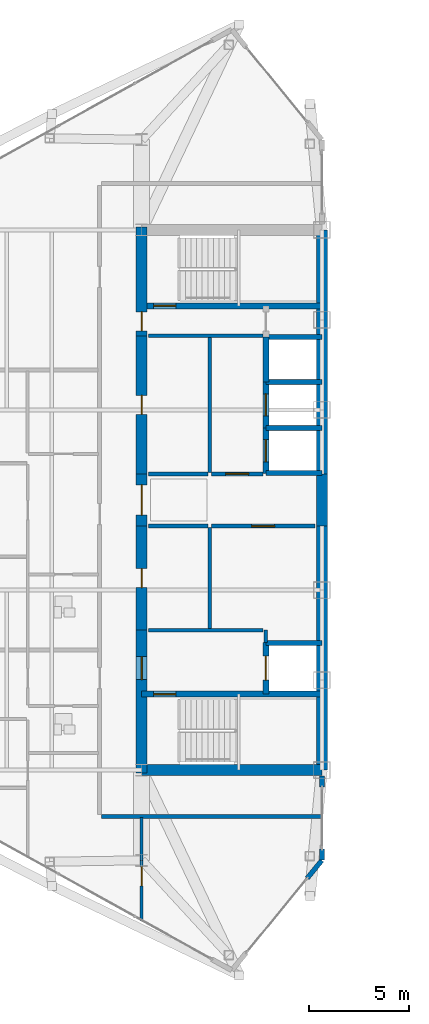
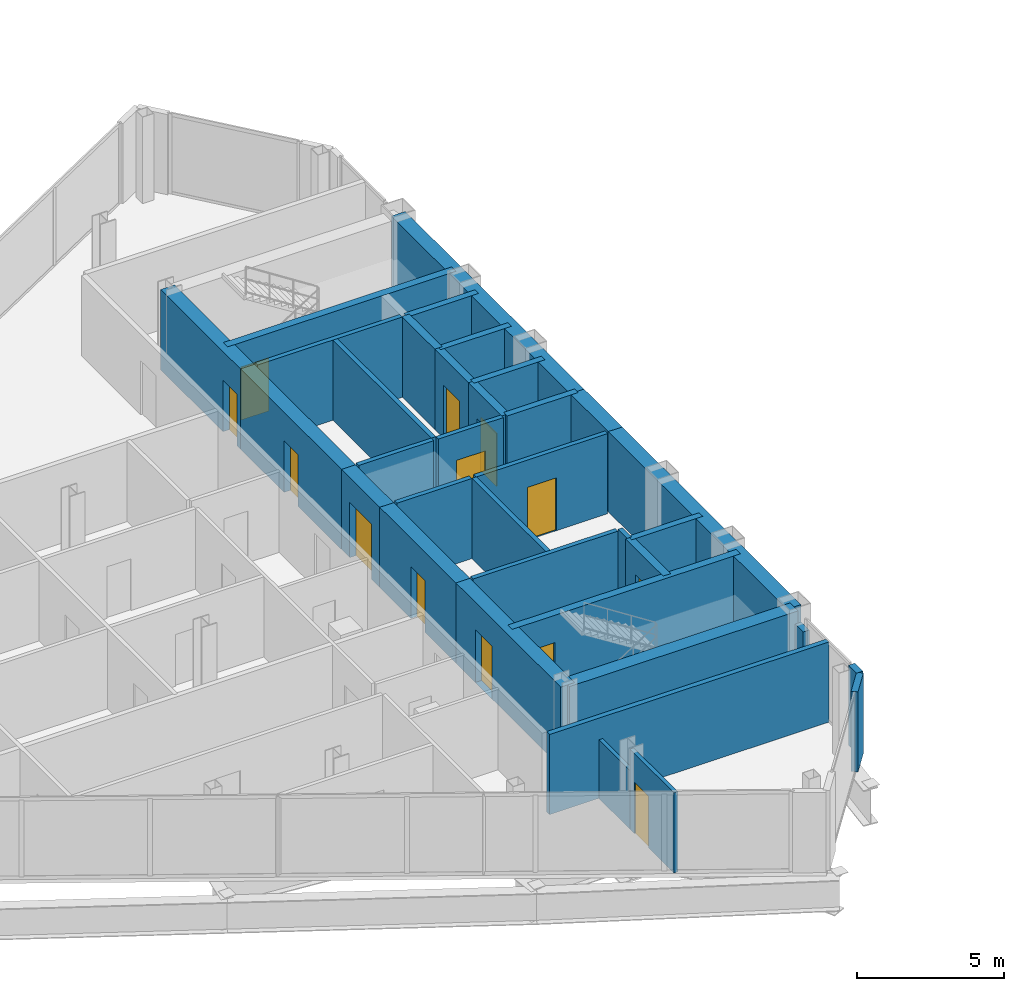
# One storey, part 21 of 28: 35 walls, 13 doors, 13 openings.
"""IFC4 building model written with IfcOpenShell, lengths in metres."""

from ifc_helpers import new_model, si_unit, direction, frame, frame_2d, origin, place, context, subcontext, project, spatial, rectangle, extrude, source, transform, mapped, material, layer, layer_set, type_object, type_shapes, element, fill, save


model = new_model("IFC4")

# Units and contexts
model_context = context("Model", 3, precision=1e-05, world=origin(), true_north=direction((0.0, 1.0)))
body_context = subcontext(model_context, "Body", "Model", "MODEL_VIEW")
ifc_project = project(units=[si_unit("LENGTHUNIT", "METRE"), si_unit("AREAUNIT", "SQUARE_METRE"), si_unit("VOLUMEUNIT", "CUBIC_METRE"), si_unit("PLANEANGLEUNIT", "RADIAN"), si_unit("MASSUNIT", "GRAM", prefix="KILO")], contexts=[model_context])

# Site, building, storey
site_placement = place(None, origin())
site = spatial("IfcSite", under=ifc_project, at=site_placement, CompositionType="ELEMENT")
building_placement = place(site_placement, origin())
building = spatial("IfcBuilding", under=site, at=building_placement, Name="Seokmaru Belvedere", CompositionType="ELEMENT")
storey_placement = place(building_placement, frame((0.0, 0.0, 158.39990234375)))
storey = spatial("IfcBuildingStorey", under=building, at=storey_placement, Name="L42", CompositionType="ELEMENT", Elevation=158.39990234375)

# Wall, opening, door
ifc_material_1 = material(Name="Fire-Rated Gypsum Shaftwall")
ifc_layer_1 = layer(ifc_material_1, 0.14990234375)
ifc_layer_set_1 = layer_set([ifc_layer_1], Name="Fire-Rated Gypsum Shaftwall")
wall_type_1 = type_object("IfcWallType", Name="Apartment Fire-Acoustic Room Partition 150", PredefinedType="PARTITIONING", material=ifc_layer_set_1)
wall_1_placement = place(storey_placement, frame((-36.5, -21.031982421875, 0.0), z_axis=(0.0, 0.0, 1.0), x_axis=(0.0, 1.0, 0.0)))
wall_1 = element("IfcWall", 1, at=wall_1_placement, inside=storey, type_object=wall_type_1, Name="L42 Interior Partition 028", PredefinedType="PARTITIONING", context=body_context, shape_type="SweptSolid", body=[
    extrude(rectangle(XDim=3.011962890625, YDim=0.14990234375, at=frame_2d((1.505859375, 0.0))), origin(), (0.0, 0.0, 1.0), 3.340087890625),
])
opening_1_placement = place(wall_1_placement, frame((1.75390625, 0.0, 0.0)))
opening_1 = element("IfcOpeningElement", 2, at=opening_1_placement, cuts=wall_1, Name="Opening D05", PredefinedType="OPENING", context=body_context, shape_type="SweptSolid", body=[
    extrude(rectangle(XDim=0.949951171875, YDim=2.14990234375, at=frame_2d((0.47509765625, 1.074951171875))), frame((0.0, 0.0849609375, 0.0), z_axis=(0.0, -1.0, 0.0), x_axis=(1.0, 0.0, 0.0)), (0.0, 0.0, 1.0), 0.169921875),
])
ifc_material_2 = material(Name="Engineered White Oak Timber", Category="wood")
door_type_1 = type_object("IfcDoorType", Name="Apartment Interior Fire-Rated Oak Door 950x2150", OperationType="NOTDEFINED", PredefinedType="DOOR", material=ifc_material_2)
shared_shape_1 = source(origin(), body_context, "Body", "SweptSolid", [
    extrude(rectangle(XDim=0.949951171875, YDim=2.14990234375, at=frame_2d((0.47509765625, 1.074951171875))), frame((0.0, 0.02490234375, 0.0), z_axis=(0.0, -1.0, 0.0), x_axis=(1.0, 0.0, 0.0)), (0.0, 0.0, 1.0), 0.050048828125),
])
type_shapes(door_type_1, [shared_shape_1])
door_1_placement = place(opening_1_placement, origin())
door_1 = element("IfcDoor", 3, at=door_1_placement, inside=storey, type_object=door_type_1, Name="L42 Interior Door 008", OperationType="SINGLE_SWING_RIGHT", OverallHeight=2.14990234375, OverallWidth=0.949951171875, PredefinedType="DOOR", context=body_context, shape_type="MappedRepresentation", body=[
    mapped(shared_shape_1, transform((0.0, 0.0, 0.0), scale=1.0)),
])
fill(opening_1, door_1)

# Walls
wall_2_placement = place(storey_placement, frame((-36.5, -18.02001953125, 0.0), z_axis=(0.0, 0.0, 1.0), x_axis=(0.0, 1.0, 0.0)))
element("IfcWall", 4, at=wall_2_placement, inside=storey, type_object=wall_type_1, Name="L42 Interior Partition 028 Part 2", PredefinedType="PARTITIONING", context=body_context, shape_type="SweptSolid", body=[
    extrude(rectangle(XDim=2.169921875, YDim=0.14990234375, at=frame_2d((1.0849609375, 0.0))), origin(), (0.0, 0.0, 1.0), 2.440185546875),
])
ifc_layer_2 = layer(ifc_material_1, 0.179931640625)
ifc_layer_set_2 = layer_set([ifc_layer_2], Name="Fire-Rated Gypsum Shaftwall")
wall_type_2 = type_object("IfcWallType", Name="Core Service Fire Partition 180", PredefinedType="PARTITIONING", material=ifc_layer_set_2)
wall_3_placement = place(storey_placement, frame((-36.14990234375, -6.5, 0.0), z_axis=(0.0, 0.0, 1.0), x_axis=(1.0, 0.0, 0.0)))
element("IfcWall", 5, at=wall_3_placement, inside=storey, type_object=wall_type_2, Name="L42 West Firefighting Lobby Partition", PredefinedType="PARTITIONING", context=body_context, shape_type="SweptSolid", body=[
    extrude(rectangle(XDim=5.699951171875, YDim=0.179931640625, at=frame_2d((2.85009765625, 0.0))), origin(), (0.0, 0.0, 1.0), 3.340087890625),
])
wall_4_placement = place(storey_placement, frame((-30.300048828125, -7.1201171875, 0.0), z_axis=(0.0, 0.0, 1.0), x_axis=(0.0, 1.0, 0.0)))
element("IfcWall", 6, at=wall_4_placement, inside=storey, type_object=wall_type_2, Name="L42 West Firefighting Lobby East Closure Wall", PredefinedType="PARTITIONING", context=body_context, shape_type="SweptSolid", body=[
    extrude(rectangle(XDim=0.6201171875, YDim=0.179931640625, at=frame_2d((0.31005859375, 0.0))), origin(), (0.0, 0.0, 1.0), 3.340087890625),
])
wall_5_placement = place(storey_placement, frame((-36.14990234375, 8.199951171875, 0.0), z_axis=(0.0, 0.0, 1.0), x_axis=(1.0, 0.0, 0.0)))
element("IfcWall", 7, at=wall_5_placement, inside=storey, type_object=wall_type_2, Name="L42 West Smokeproof Vestibule Partition", PredefinedType="PARTITIONING", context=body_context, shape_type="SweptSolid", body=[
    extrude(rectangle(XDim=5.699951171875, YDim=0.179931640625, at=frame_2d((2.85009765625, 0.0))), origin(), (0.0, 0.0, 1.0), 3.340087890625),
])
wall_6_placement = place(storey_placement, frame((-33.10009765625, -6.419921875, 0.0), z_axis=(0.0, 0.0, 1.0), x_axis=(0.0, 1.0, 0.0)))
element("IfcWall", 8, at=wall_6_placement, inside=storey, type_object=wall_type_2, Name="L42 West South Core Service Back Wall", PredefinedType="PARTITIONING", context=body_context, shape_type="SweptSolid", body=[
    extrude(rectangle(XDim=5.0400390625, YDim=0.179931640625, at=frame_2d((2.52001953125, 0.0))), origin(), (0.0, 0.0, 1.0), 3.340087890625),
])
wall_7_placement = place(storey_placement, frame((-33.10009765625, 1.3798828125, 0.0), z_axis=(0.0, 0.0, 1.0), x_axis=(0.0, 1.0, 0.0)))
element("IfcWall", 9, at=wall_7_placement, inside=storey, type_object=wall_type_2, Name="L42 West North Core Service Back Wall", PredefinedType="PARTITIONING", context=body_context, shape_type="SweptSolid", body=[
    extrude(rectangle(XDim=6.740234375, YDim=0.179931640625, at=frame_2d((3.3701171875, 0.0))), origin(), (0.0, 0.0, 1.0), 3.340087890625),
])

# Wall, opening, door
wall_8_placement = place(storey_placement, frame((-33.02001953125, -1.300048828125, 0.0), z_axis=(0.0, 0.0, 1.0), x_axis=(1.0, 0.0, 0.0)))
wall_8 = element("IfcWall", 10, at=wall_8_placement, inside=storey, type_object=wall_type_2, Name="L42 West South Lift Lobby Foyer Wall", PredefinedType="PARTITIONING", context=body_context, shape_type="SweptSolid", body=[
    extrude(rectangle(XDim=5.169921875, YDim=0.179931640625, at=frame_2d((2.5849609375, 0.0))), origin(), (0.0, 0.0, 1.0), 3.340087890625),
])
opening_2_placement = place(wall_8_placement, frame((2.010009765625, 0.0, 0.0)))
opening_2 = element("IfcOpeningElement", 11, at=opening_2_placement, cuts=wall_8, Name="Opening D02", PredefinedType="OPENING", context=body_context, shape_type="SweptSolid", body=[
    extrude(rectangle(XDim=1.14990234375, YDim=2.199951171875, at=frame_2d((0.574951171875, 1.10009765625))), frame((0.0, 0.10009765625, 0.0), z_axis=(0.0, -1.0, 0.0), x_axis=(1.0, 0.0, 0.0)), (0.0, 0.0, 1.0), 0.199951171875),
])
ifc_material_3 = material(Name="Fire-Rated Steel Leaf", Category="steel")
door_type_2 = type_object("IfcDoorType", Name="Lobby and Vestibule Fire Door 1150x2200", OperationType="NOTDEFINED", PredefinedType="DOOR", material=ifc_material_3)
shared_shape_2 = source(origin(), body_context, "Body", "SweptSolid", [
    extrude(rectangle(XDim=1.14990234375, YDim=2.199951171875, at=frame_2d((0.574951171875, 1.10009765625))), frame((0.0, 0.02490234375, 0.0), z_axis=(0.0, -1.0, 0.0), x_axis=(1.0, 0.0, 0.0)), (0.0, 0.0, 1.0), 0.050048828125),
])
type_shapes(door_type_2, [shared_shape_2])
door_2_placement = place(opening_2_placement, origin())
door_2 = element("IfcDoor", 12, at=door_2_placement, inside=storey, type_object=door_type_2, Name="L42 West South Core Foyer Door", OperationType="SINGLE_SWING_LEFT", OverallHeight=2.199951171875, OverallWidth=1.14990234375, PredefinedType="DOOR", context=body_context, shape_type="MappedRepresentation", body=[
    mapped(shared_shape_2, transform((0.0, 0.0, 0.0), scale=1.0)),
])
fill(opening_2, door_2)

wall_9_placement = place(storey_placement, frame((-33.02001953125, 1.300048828125, 0.0), z_axis=(0.0, 0.0, 1.0), x_axis=(1.0, 0.0, 0.0)))
wall_9 = element("IfcWall", 13, at=wall_9_placement, inside=storey, type_object=wall_type_2, Name="L42 West North Lift Lobby Foyer Wall", PredefinedType="PARTITIONING", context=body_context, shape_type="SweptSolid", body=[
    extrude(rectangle(XDim=2.570068359375, YDim=0.179931640625, at=frame_2d((1.28515625, 0.0))), origin(), (0.0, 0.0, 1.0), 3.340087890625),
])
opening_3_placement = place(wall_9_placement, frame((0.7099609375, 0.0, 0.0)))
opening_3 = element("IfcOpeningElement", 14, at=opening_3_placement, cuts=wall_9, Name="Opening D02", PredefinedType="OPENING", context=body_context, shape_type="SweptSolid", body=[
    extrude(rectangle(XDim=1.14990234375, YDim=2.199951171875, at=frame_2d((0.574951171875, 1.10009765625))), frame((0.0, 0.10009765625, 0.0), z_axis=(0.0, -1.0, 0.0), x_axis=(1.0, 0.0, 0.0)), (0.0, 0.0, 1.0), 0.199951171875),
])
door_3_placement = place(opening_3_placement, origin())
door_3 = element("IfcDoor", 15, at=door_3_placement, inside=storey, type_object=door_type_2, Name="L42 West North Lift Lobby Door", OperationType="SINGLE_SWING_RIGHT", OverallHeight=2.199951171875, OverallWidth=1.14990234375, PredefinedType="DOOR", context=body_context, shape_type="MappedRepresentation", body=[
    mapped(shared_shape_2, transform((0.0, 0.0, 0.0), scale=1.0)),
])
fill(opening_3, door_3)

# Walls
for number, where, z_axis, x_axis, name in (
    (16, (-36.14990234375, -1.300048828125, 0.0), (0.0, 0.0, 1.0), (1.0, 0.0, 0.0), "L42 West Foyer Side Wall S"),
    (17, (-36.14990234375, 1.300048828125, 0.0), (0.0, 0.0, 1.0), (1.0, 0.0, 0.0), "L42 West Foyer Side Wall N"),
):
    element("IfcWall", number, at=place(storey_placement, frame(where, z_axis=z_axis, x_axis=x_axis)), inside=storey, type_object=wall_type_2, Name=name, PredefinedType="PARTITIONING", context=body_context, shape_type="SweptSolid", body=[
        extrude(rectangle(XDim=2.949951171875, YDim=0.179931640625, at=frame_2d((1.47509765625, 0.0))), origin(), (0.0, 0.0, 1.0), 3.340087890625),
    ])
ifc_material_4 = material(Name="Concrete C50 (50 MPa)", Category="concrete")
ifc_layer_3 = layer(ifc_material_4, 0.25)
ifc_layer_set_3 = layer_set([ifc_layer_3], Name="Concrete C50 (50 MPa)")
wall_type_3 = type_object("IfcWallType", Name="Hoistway Transverse Concrete Divider Wall 250", PredefinedType="SHEAR", material=ifc_layer_set_3)
for number, where, z_axis, x_axis, name in (
    (18, (-30.300048828125, -7.14990234375, 0.0), (0.0, 0.0, 1.0), (1.0, 0.0, 0.0), "L42 West Hoistway Divider Core Wall 1"),
    (19, (-30.300048828125, 1.35009765625, 0.0), (0.0, 0.0, 1.0), (1.0, 0.0, 0.0), "L42 West Hoistway Divider Core Wall 2"),
    (20, (-30.300048828125, 3.60009765625, 0.0), (0.0, 0.0, 1.0), (1.0, 0.0, 0.0), "L42 West Hoistway Divider Core Wall 3"),
    (21, (-30.300048828125, 5.89990234375, 0.0), (0.0, 0.0, 1.0), (1.0, 0.0, 0.0), "L42 West Hoistway Divider Core Wall 4"),
    (22, (-30.300048828125, 8.14990234375, 0.0), (0.0, 0.0, 1.0), (1.0, 0.0, 0.0), "L42 West Hoistway Divider Core Wall 5"),
):
    element("IfcWall", number, at=place(storey_placement, frame(where, z_axis=z_axis, x_axis=x_axis)), inside=storey, type_object=wall_type_3, Name=name, PredefinedType="SHEAR", context=body_context, shape_type="SweptSolid", body=[
        extrude(rectangle(XDim=2.800048828125, YDim=0.25, at=frame_2d((1.39990234375, 0.0))), origin(), (0.0, 0.0, 1.0), 3.340087890625),
    ])
ifc_layer_4 = layer(ifc_material_1, 0.199951171875)
ifc_layer_set_4 = layer_set([ifc_layer_4], Name="Fire-Rated Gypsum Shaftwall")
wall_type_4 = type_object("IfcWallType", Name="Inter-Tenancy Fire Compartment Partition 200", PredefinedType="PARTITIONING", material=ifc_layer_set_4)
wall_10_placement = place(storey_placement, frame((-38.514892578125, -15.800048828125, 0.0), z_axis=(0.0, 0.0, 1.0), x_axis=(1.0, 0.0, 0.0)))
element("IfcWall", 23, at=wall_10_placement, inside=storey, type_object=wall_type_4, Name="L42 Interior Partition 001", PredefinedType="PARTITIONING", context=body_context, shape_type="SweptSolid", body=[
    extrude(rectangle(XDim=11.014892578125, YDim=0.199951171875, at=frame_2d((5.50732421875, 0.0))), origin(), (0.0, 0.0, 1.0), 3.340087890625),
])

# Wall, opening, door
ifc_layer_5 = layer(ifc_material_4, 0.300048828125)
ifc_layer_set_5 = layer_set([ifc_layer_5], Name="Concrete C50 (50 MPa)")
wall_type_5 = type_object("IfcWallType", Name="Internal Core Stair and Hoistway Wall 300", PredefinedType="SHEAR", material=ifc_layer_set_5)
wall_11_placement = place(storey_placement, frame((-36.5, -9.699951171875, 0.0), z_axis=(0.0, 0.0, 1.0), x_axis=(1.0, 0.0, 0.0)))
wall_11 = element("IfcWall", 24, at=wall_11_placement, inside=storey, type_object=wall_type_5, Name="L42 West Stair ST-1 Enclosure Wall", PredefinedType="SHEAR", context=body_context, shape_type="SweptSolid", body=[
    extrude(rectangle(XDim=9.0, YDim=0.300048828125, at=frame_2d((4.5, 0.0))), origin(), (0.0, 0.0, 1.0), 3.340087890625),
])
opening_4_placement = place(wall_11_placement, frame((0.60009765625, 0.0, 0.0)))
opening_4 = element("IfcOpeningElement", 25, at=opening_4_placement, cuts=wall_11, Name="Opening D01", PredefinedType="OPENING", context=body_context, shape_type="SweptSolid", body=[
    extrude(rectangle(XDim=1.10009765625, YDim=2.199951171875, at=frame_2d((0.550048828125, 1.10009765625))), frame((0.0, 0.16015625, 0.0), z_axis=(0.0, -1.0, 0.0), x_axis=(1.0, 0.0, 0.0)), (0.0, 0.0, 1.0), 0.320068359375),
])
door_type_3 = type_object("IfcDoorType", Name="Special Escape Stair Smokeproof Fire Door 1100x2200", OperationType="NOTDEFINED", PredefinedType="DOOR", material=ifc_material_3)
shared_shape_3 = source(origin(), body_context, "Body", "SweptSolid", [
    extrude(rectangle(XDim=1.10009765625, YDim=2.199951171875, at=frame_2d((0.550048828125, 1.10009765625))), frame((0.0, 0.02490234375, 0.0), z_axis=(0.0, -1.0, 0.0), x_axis=(1.0, 0.0, 0.0)), (0.0, 0.0, 1.0), 0.050048828125),
])
type_shapes(door_type_3, [shared_shape_3])
door_4_placement = place(opening_4_placement, frame((1.10009765625, 0.0, 0.0), z_axis=(0.0, 0.0, 1.0), x_axis=(-1.0, 0.0, 0.0)))
door_4 = element("IfcDoor", 26, at=door_4_placement, inside=storey, type_object=door_type_3, Name="L42 West Special Escape Stair ST-1 Door", OperationType="SINGLE_SWING_LEFT", OverallHeight=2.199951171875, OverallWidth=1.10009765625, PredefinedType="DOOR", context=body_context, shape_type="MappedRepresentation", body=[
    mapped(shared_shape_3, transform((0.0, 0.0, 0.0), scale=1.0)),
])
fill(opening_4, door_4)

wall_12_placement = place(storey_placement, frame((-36.5, 9.699951171875, 0.0), z_axis=(0.0, 0.0, 1.0), x_axis=(1.0, 0.0, 0.0)))
wall_12 = element("IfcWall", 27, at=wall_12_placement, inside=storey, type_object=wall_type_5, Name="L42 West Stair ST-2 Enclosure Wall", PredefinedType="SHEAR", context=body_context, shape_type="SweptSolid", body=[
    extrude(rectangle(XDim=9.0, YDim=0.300048828125, at=frame_2d((4.5, 0.0))), origin(), (0.0, 0.0, 1.0), 3.340087890625),
])
opening_5_placement = place(wall_12_placement, frame((0.60009765625, 0.0, 0.0)))
opening_5 = element("IfcOpeningElement", 28, at=opening_5_placement, cuts=wall_12, Name="Opening D01", PredefinedType="OPENING", context=body_context, shape_type="SweptSolid", body=[
    extrude(rectangle(XDim=1.10009765625, YDim=2.199951171875, at=frame_2d((0.550048828125, 1.10009765625))), frame((0.0, 0.16015625, 0.0), z_axis=(0.0, -1.0, 0.0), x_axis=(1.0, 0.0, 0.0)), (0.0, 0.0, 1.0), 0.320068359375),
])
door_5_placement = place(opening_5_placement, origin())
door_5 = element("IfcDoor", 29, at=door_5_placement, inside=storey, type_object=door_type_3, Name="L42 West Special Escape Stair ST-2 Door", OperationType="SINGLE_SWING_RIGHT", OverallHeight=2.199951171875, OverallWidth=1.10009765625, PredefinedType="DOOR", context=body_context, shape_type="MappedRepresentation", body=[
    mapped(shared_shape_3, transform((0.0, 0.0, 0.0), scale=1.0)),
])
fill(opening_5, door_5)

wall_13_placement = place(storey_placement, frame((-30.300048828125, -9.679931640625, 0.0), z_axis=(0.0, 0.0, 1.0), x_axis=(0.0, 1.0, 0.0)))
wall_13 = element("IfcWall", 30, at=wall_13_placement, inside=storey, type_object=wall_type_5, Name="L42 West Firefighting Lift Shaft Front Wall", PredefinedType="SHEAR", context=body_context, shape_type="SweptSolid", body=[
    extrude(rectangle(XDim=2.559814453125, YDim=0.300048828125, at=frame_2d((1.27978515625, 0.0))), origin(), (0.0, 0.0, 1.0), 3.340087890625),
])
opening_6_placement = place(wall_13_placement, frame((0.679931640625, 0.0, 0.0)))
opening_6 = element("IfcOpeningElement", 31, at=opening_6_placement, cuts=wall_13, Name="Opening LD2", PredefinedType="OPENING", context=body_context, shape_type="SweptSolid", body=[
    extrude(rectangle(XDim=1.199951171875, YDim=2.25, at=frame_2d((0.60009765625, 1.125))), frame((0.0, 0.16015625, 0.0), z_axis=(0.0, -1.0, 0.0), x_axis=(1.0, 0.0, 0.0)), (0.0, 0.0, 1.0), 0.320068359375),
])
ifc_material_5 = material(Name="Stainless Steel 316", Category="steel")
door_type_4 = type_object("IfcDoorType", Name="Firefighting Lift Sliding Landing Door 1200x2250", OperationType="DOUBLE_DOOR_SLIDING", PredefinedType="DOOR", material=ifc_material_5)
shared_shape_4 = source(origin(), body_context, "Body", "SweptSolid", [
    extrude(rectangle(XDim=1.199951171875, YDim=2.25, at=frame_2d((0.60009765625, 1.125))), frame((0.0, 0.02490234375, 0.0), z_axis=(0.0, -1.0, 0.0), x_axis=(1.0, 0.0, 0.0)), (0.0, 0.0, 1.0), 0.050048828125),
])
type_shapes(door_type_4, [shared_shape_4])
door_6_placement = place(opening_6_placement, origin())
door_6 = element("IfcDoor", 32, at=door_6_placement, inside=storey, type_object=door_type_4, Name="L42 West Firefighting Lift Landing Door", OperationType="DOUBLE_DOOR_SLIDING", OverallHeight=2.25, OverallWidth=1.199951171875, PredefinedType="DOOR", context=body_context, shape_type="MappedRepresentation", body=[
    mapped(shared_shape_4, transform((0.0, 0.0, 0.0), scale=1.0)),
])
fill(opening_6, door_6)

wall_14_placement = place(storey_placement, frame((-30.300048828125, 1.320068359375, 0.0), z_axis=(0.0, 0.0, 1.0), x_axis=(0.0, 1.0, 0.0)))
wall_14 = element("IfcWall", 33, at=wall_14_placement, inside=storey, type_object=wall_type_5, Name="L42 West North Hoistway Wall PH1", PredefinedType="SHEAR", context=body_context, shape_type="SweptSolid", body=[
    extrude(rectangle(XDim=2.280029296875, YDim=0.300048828125, at=frame_2d((1.14013671875, 0.0))), origin(), (0.0, 0.0, 1.0), 3.340087890625),
])
opening_7_placement = place(wall_14_placement, frame((0.590087890625, 0.0, 0.0)))
opening_7 = element("IfcOpeningElement", 34, at=opening_7_placement, cuts=wall_14, Name="Opening LD1", PredefinedType="OPENING", context=body_context, shape_type="SweptSolid", body=[
    extrude(rectangle(XDim=1.10009765625, YDim=2.199951171875, at=frame_2d((0.550048828125, 1.10009765625))), frame((0.0, 0.16015625, 0.0), z_axis=(0.0, -1.0, 0.0), x_axis=(1.0, 0.0, 0.0)), (0.0, 0.0, 1.0), 0.320068359375),
])
door_type_5 = type_object("IfcDoorType", Name="Passenger Lift Sliding Landing Door 1100x2200", OperationType="DOUBLE_DOOR_SLIDING", PredefinedType="DOOR", material=ifc_material_5)
shared_shape_5 = source(origin(), body_context, "Body", "SweptSolid", [
    extrude(rectangle(XDim=1.10009765625, YDim=2.199951171875, at=frame_2d((0.550048828125, 1.10009765625))), frame((0.0, 0.02490234375, 0.0), z_axis=(0.0, -1.0, 0.0), x_axis=(1.0, 0.0, 0.0)), (0.0, 0.0, 1.0), 0.050048828125),
])
type_shapes(door_type_5, [shared_shape_5])
door_7_placement = place(opening_7_placement, origin())
door_7 = element("IfcDoor", 35, at=door_7_placement, inside=storey, type_object=door_type_5, Name="L42 West High-Rise Lift PH-1 Landing Door", OperationType="DOUBLE_DOOR_SLIDING", OverallHeight=2.199951171875, OverallWidth=1.10009765625, PredefinedType="DOOR", context=body_context, shape_type="MappedRepresentation", body=[
    mapped(shared_shape_5, transform((0.0, 0.0, 0.0), scale=1.0)),
])
fill(opening_7, door_7)

wall_15_placement = place(storey_placement, frame((-30.300048828125, 3.60009765625, 0.0), z_axis=(0.0, 0.0, 1.0), x_axis=(0.0, 1.0, 0.0)))
wall_15 = element("IfcWall", 36, at=wall_15_placement, inside=storey, type_object=wall_type_5, Name="L42 West North Hoistway Wall PH2", PredefinedType="SHEAR", context=body_context, shape_type="SweptSolid", body=[
    extrude(rectangle(XDim=2.2998046875, YDim=0.300048828125, at=frame_2d((1.14990234375, 0.0))), origin(), (0.0, 0.0, 1.0), 3.340087890625),
])
opening_8_placement = place(wall_15_placement, frame((0.60009765625, 0.0, 0.0)))
opening_8 = element("IfcOpeningElement", 37, at=opening_8_placement, cuts=wall_15, Name="Opening LD1", PredefinedType="OPENING", context=body_context, shape_type="SweptSolid", body=[
    extrude(rectangle(XDim=1.10009765625, YDim=2.199951171875, at=frame_2d((0.550048828125, 1.10009765625))), frame((0.0, 0.16015625, 0.0), z_axis=(0.0, -1.0, 0.0), x_axis=(1.0, 0.0, 0.0)), (0.0, 0.0, 1.0), 0.320068359375),
])
door_8_placement = place(opening_8_placement, origin())
door_8 = element("IfcDoor", 38, at=door_8_placement, inside=storey, type_object=door_type_5, Name="L42 West High-Rise Lift PH-2 Landing Door", OperationType="DOUBLE_DOOR_SLIDING", OverallHeight=2.199951171875, OverallWidth=1.10009765625, PredefinedType="DOOR", context=body_context, shape_type="MappedRepresentation", body=[
    mapped(shared_shape_5, transform((0.0, 0.0, 0.0), scale=1.0)),
])
fill(opening_8, door_8)

# Walls
wall_16_placement = place(storey_placement, frame((-30.300048828125, 5.89990234375, 0.0), z_axis=(0.0, 0.0, 1.0), x_axis=(0.0, 1.0, 0.0)))
element("IfcWall", 39, at=wall_16_placement, inside=storey, type_object=wall_type_5, Name="L42 West North Hoistway Wall OBS", PredefinedType="SHEAR", context=body_context, shape_type="SweptSolid", body=[
    extrude(rectangle(XDim=2.25, YDim=0.300048828125, at=frame_2d((1.125, 0.0))), origin(), (0.0, 0.0, 1.0), 3.340087890625),
])
ifc_layer_6 = layer(ifc_material_4, 0.550048828125)
ifc_layer_set_6 = layer_set([ifc_layer_6], Name="Concrete C50 (50 MPa)")
wall_type_6 = type_object("IfcWallType", Name="Mid-High Reinforced Concrete Core Wall 550", PredefinedType="SHEAR", material=ifc_layer_set_6)
for number, where, z_axis, x_axis, name in (
    (40, (-27.5, -13.5, 0.0), (0.0, 0.0, 1.0), (0.0, 1.0, 0.0), "L42 West Portal Spine Core Wall South"),
    (41, (-27.5, 1.300048828125, 0.0), (0.0, 0.0, 1.0), (0.0, 1.0, 0.0), "L42 West Portal Spine Core Wall North"),
):
    element("IfcWall", number, at=place(storey_placement, frame(where, z_axis=z_axis, x_axis=x_axis)), inside=storey, type_object=wall_type_6, Name=name, PredefinedType="SHEAR", context=body_context, shape_type="SweptSolid", body=[
        extrude(rectangle(XDim=12.199951171875, YDim=0.550048828125, at=frame_2d((6.10009765625, 0.0))), origin(), (0.0, 0.0, 1.0), 3.340087890625),
    ])
wall_17_placement = place(storey_placement, frame((-27.5, -1.300048828125, 0.0), z_axis=(0.0, 0.0, 1.0), x_axis=(0.0, 1.0, 0.0)))
element("IfcWall", 42, at=wall_17_placement, inside=storey, type_object=wall_type_6, Name="L42 West Portal Spine Core Wall Center", PredefinedType="SHEAR", context=body_context, shape_type="SweptSolid", body=[
    extrude(rectangle(XDim=2.60009765625, YDim=0.550048828125, at=frame_2d((1.300048828125, 0.0))), origin(), (0.0, 0.0, 1.0), 3.340087890625),
])
wall_18_placement = place(storey_placement, frame((-36.5, -13.5, 0.0), z_axis=(0.0, 0.0, 1.0), x_axis=(1.0, 0.0, 0.0)))
element("IfcWall", 43, at=wall_18_placement, inside=storey, type_object=wall_type_6, Name="L42 West South Core Wall", PredefinedType="SHEAR", context=body_context, shape_type="SweptSolid", body=[
    extrude(rectangle(XDim=9.0, YDim=0.550048828125, at=frame_2d((4.5, 0.0))), origin(), (0.0, 0.0, 1.0), 3.340087890625),
])

# Wall, opening, door
wall_19_placement = place(storey_placement, frame((-36.5, -13.64990234375, 0.0), z_axis=(0.0, 0.0, 1.0), x_axis=(0.0, 1.0, 0.0)))
wall_19 = element("IfcWall", 44, at=wall_19_placement, inside=storey, type_object=wall_type_6, Name="L42 West West Core Wall FF", PredefinedType="SHEAR", context=body_context, shape_type="SweptSolid", body=[
    extrude(rectangle(XDim=7.14990234375, YDim=0.550048828125, at=frame_2d((3.574951171875, 0.0))), origin(), (0.0, 0.0, 1.0), 3.340087890625),
])
opening_9_placement = place(wall_19_placement, frame((4.675048828125, 0.0, 0.0)))
opening_9 = element("IfcOpeningElement", 45, at=opening_9_placement, cuts=wall_19, Name="Opening D02", PredefinedType="OPENING", context=body_context, shape_type="SweptSolid", body=[
    extrude(rectangle(XDim=1.14990234375, YDim=2.199951171875, at=frame_2d((0.574951171875, 1.10009765625))), frame((0.0, 0.28515625, 0.0), z_axis=(0.0, -1.0, 0.0), x_axis=(1.0, 0.0, 0.0)), (0.0, 0.0, 1.0), 0.570068359375),
])
door_9_placement = place(opening_9_placement, frame((1.14990234375, 0.0, 0.0), z_axis=(0.0, 0.0, 1.0), x_axis=(-1.0, 0.0, 0.0)))
door_9 = element("IfcDoor", 46, at=door_9_placement, inside=storey, type_object=door_type_2, Name="L42 West Firefighting Lobby Door", OperationType="SINGLE_SWING_LEFT", OverallHeight=2.199951171875, OverallWidth=1.14990234375, PredefinedType="DOOR", context=body_context, shape_type="MappedRepresentation", body=[
    mapped(shared_shape_2, transform((0.0, 0.0, 0.0), scale=1.0)),
])
fill(opening_9, door_9)

wall_20_placement = place(storey_placement, frame((-36.5, -1.300048828125, 0.0), z_axis=(0.0, 0.0, 1.0), x_axis=(0.0, 1.0, 0.0)))
wall_20 = element("IfcWall", 47, at=wall_20_placement, inside=storey, type_object=wall_type_6, Name="L42 West West Core Wall FOY", PredefinedType="SHEAR", context=body_context, shape_type="SweptSolid", body=[
    extrude(rectangle(XDim=2.60009765625, YDim=0.550048828125, at=frame_2d((1.300048828125, 0.0))), origin(), (0.0, 0.0, 1.0), 3.340087890625),
])
opening_10_placement = place(wall_20_placement, frame((0.550048828125, 0.0, 0.0)))
opening_10 = element("IfcOpeningElement", 48, at=opening_10_placement, cuts=wall_20, Name="Opening D08", PredefinedType="OPENING", context=body_context, shape_type="SweptSolid", body=[
    extrude(rectangle(XDim=1.5, YDim=2.300048828125, at=frame_2d((0.75, 1.14990234375))), frame((0.0, 0.28515625, 0.0), z_axis=(0.0, -1.0, 0.0), x_axis=(1.0, 0.0, 0.0)), (0.0, 0.0, 1.0), 0.570068359375),
])
door_type_6 = type_object("IfcDoorType", Name="Cross-Corridor Compartment Double Fire Door 1500x2300", OperationType="DOUBLE_SWING_LEFT", PredefinedType="DOOR", material=ifc_material_3)
shared_shape_6 = source(origin(), body_context, "Body", "SweptSolid", [
    extrude(rectangle(XDim=1.5, YDim=2.300048828125, at=frame_2d((0.75, 1.14990234375))), frame((0.0, 0.02490234375, 0.0), z_axis=(0.0, -1.0, 0.0), x_axis=(1.0, 0.0, 0.0)), (0.0, 0.0, 1.0), 0.050048828125),
])
type_shapes(door_type_6, [shared_shape_6])
door_10_placement = place(opening_10_placement, origin())
door_10 = element("IfcDoor", 49, at=door_10_placement, inside=storey, type_object=door_type_6, Name="L42 West Core Foyer Compartment Door", OperationType="DOUBLE_SWING_LEFT", OverallHeight=2.300048828125, OverallWidth=1.5, PredefinedType="DOOR", context=body_context, shape_type="MappedRepresentation", body=[
    mapped(shared_shape_6, transform((0.0, 0.0, 0.0), scale=1.0)),
])
fill(opening_10, door_10)

wall_21_placement = place(storey_placement, frame((-36.5, 8.199951171875, 0.0), z_axis=(0.0, 0.0, 1.0), x_axis=(0.0, 1.0, 0.0)))
wall_21 = element("IfcWall", 50, at=wall_21_placement, inside=storey, type_object=wall_type_6, Name="L42 West West Core Wall VST", PredefinedType="SHEAR", context=body_context, shape_type="SweptSolid", body=[
    extrude(rectangle(XDim=5.449951171875, YDim=0.550048828125, at=frame_2d((2.72509765625, 0.0))), origin(), (0.0, 0.0, 1.0), 3.340087890625),
])
opening_11_placement = place(wall_21_placement, frame((0.2451171875, 0.0, 0.0)))
opening_11 = element("IfcOpeningElement", 51, at=opening_11_placement, cuts=wall_21, Name="Opening D04", PredefinedType="OPENING", context=body_context, shape_type="SweptSolid", body=[
    extrude(rectangle(XDim=0.949951171875, YDim=2.14990234375, at=frame_2d((0.47509765625, 1.074951171875))), frame((0.0, 0.28515625, 0.0), z_axis=(0.0, -1.0, 0.0), x_axis=(1.0, 0.0, 0.0)), (0.0, 0.0, 1.0), 0.570068359375),
])
door_type_7 = type_object("IfcDoorType", Name="Core Service Room Fire Door 950x2150", OperationType="NOTDEFINED", PredefinedType="DOOR", material=ifc_material_3)
shared_shape_7 = source(origin(), body_context, "Body", "SweptSolid", [
    extrude(rectangle(XDim=0.949951171875, YDim=2.14990234375, at=frame_2d((0.47509765625, 1.074951171875))), frame((0.0, 0.02490234375, 0.0), z_axis=(0.0, -1.0, 0.0), x_axis=(1.0, 0.0, 0.0)), (0.0, 0.0, 1.0), 0.050048828125),
])
type_shapes(door_type_7, [shared_shape_7])
door_11_placement = place(opening_11_placement, frame((0.949951171875, 0.0, 0.0), z_axis=(0.0, 0.0, 1.0), x_axis=(-1.0, 0.0, 0.0)))
door_11 = element("IfcDoor", 52, at=door_11_placement, inside=storey, type_object=door_type_7, Name="L42 West Smokeproof Vestibule Door", OperationType="SINGLE_SWING_RIGHT", OverallHeight=2.14990234375, OverallWidth=0.949951171875, PredefinedType="DOOR", context=body_context, shape_type="MappedRepresentation", body=[
    mapped(shared_shape_7, transform((0.0, 0.0, 0.0), scale=1.0)),
])
fill(opening_11, door_11)

wall_22_placement = place(storey_placement, frame((-36.5, -6.5, 0.0), z_axis=(0.0, 0.0, 1.0), x_axis=(0.0, 1.0, 0.0)))
wall_22 = element("IfcWall", 53, at=wall_22_placement, inside=storey, type_object=wall_type_6, Name="L42 West West Core Wall CS1", PredefinedType="SHEAR", context=body_context, shape_type="SweptSolid", body=[
    extrude(rectangle(XDim=5.199951171875, YDim=0.550048828125, at=frame_2d((2.60009765625, 0.0))), origin(), (0.0, 0.0, 1.0), 3.340087890625),
])
opening_12_placement = place(wall_22_placement, frame((2.125, 0.0, 0.0)))
opening_12 = element("IfcOpeningElement", 54, at=opening_12_placement, cuts=wall_22, Name="Opening D04", PredefinedType="OPENING", context=body_context, shape_type="SweptSolid", body=[
    extrude(rectangle(XDim=0.949951171875, YDim=2.14990234375, at=frame_2d((0.47509765625, 1.074951171875))), frame((0.0, 0.28515625, 0.0), z_axis=(0.0, -1.0, 0.0), x_axis=(1.0, 0.0, 0.0)), (0.0, 0.0, 1.0), 0.570068359375),
])
door_12_placement = place(opening_12_placement, origin())
door_12 = element("IfcDoor", 55, at=door_12_placement, inside=storey, type_object=door_type_7, Name="L42 West Core Service Room Door 1", OperationType="SINGLE_SWING_LEFT", OverallHeight=2.14990234375, OverallWidth=0.949951171875, PredefinedType="DOOR", context=body_context, shape_type="MappedRepresentation", body=[
    mapped(shared_shape_7, transform((0.0, 0.0, 0.0), scale=1.0)),
])
fill(opening_12, door_12)

wall_23_placement = place(storey_placement, frame((-36.5, 1.300048828125, 0.0), z_axis=(0.0, 0.0, 1.0), x_axis=(0.0, 1.0, 0.0)))
wall_23 = element("IfcWall", 56, at=wall_23_placement, inside=storey, type_object=wall_type_6, Name="L42 West West Core Wall CS2", PredefinedType="SHEAR", context=body_context, shape_type="SweptSolid", body=[
    extrude(rectangle(XDim=6.89990234375, YDim=0.550048828125, at=frame_2d((3.449951171875, 0.0))), origin(), (0.0, 0.0, 1.0), 3.340087890625),
])
opening_13_placement = place(wall_23_placement, frame((2.97509765625, 0.0, 0.0)))
opening_13 = element("IfcOpeningElement", 57, at=opening_13_placement, cuts=wall_23, Name="Opening D04", PredefinedType="OPENING", context=body_context, shape_type="SweptSolid", body=[
    extrude(rectangle(XDim=0.949951171875, YDim=2.14990234375, at=frame_2d((0.47509765625, 1.074951171875))), frame((0.0, 0.28515625, 0.0), z_axis=(0.0, -1.0, 0.0), x_axis=(1.0, 0.0, 0.0)), (0.0, 0.0, 1.0), 0.570068359375),
])
door_13_placement = place(opening_13_placement, origin())
door_13 = element("IfcDoor", 58, at=door_13_placement, inside=storey, type_object=door_type_7, Name="L42 West Core Service Room Door 2", OperationType="SINGLE_SWING_RIGHT", OverallHeight=2.14990234375, OverallWidth=0.949951171875, PredefinedType="DOOR", context=body_context, shape_type="MappedRepresentation", body=[
    mapped(shared_shape_7, transform((0.0, 0.0, 0.0), scale=1.0)),
])
fill(opening_13, door_13)

# Walls
ifc_material_6 = material(Name="Anodised Bronze Aluminium", Category="aluminium")
ifc_layer_7 = layer(ifc_material_6, 0.239990234375)
ifc_layer_set_7 = layer_set([ifc_layer_7], Name="Anodised Bronze Aluminium")
wall_type_7 = type_object("IfcWallType", Name="Tower Corner Spandrel Closure Wall 240", PredefinedType="SOLIDWALL", material=ifc_layer_set_7)
wall_24_placement = place(storey_placement, frame((-27.5, -17.97998046875, 0.0), z_axis=(0.0, 0.0, 1.0), x_axis=(0.0, 1.0, 0.0)))
element("IfcWall", 59, at=wall_24_placement, inside=storey, type_object=wall_type_7, Name="L42 W Spine Closure Pier 1A", PredefinedType="SOLIDWALL", context=body_context, shape_type="SweptSolid", body=[
    extrude(rectangle(XDim=0.550048828125, YDim=0.239990234375, at=frame_2d((0.27490234375, 0.0))), origin(), (0.0, 0.0, 1.0), 3.340087890625),
])
wall_25_placement = place(storey_placement, frame((-27.5, -14.330078125, 0.0), z_axis=(0.0, 0.0, 1.0), x_axis=(0.0, 1.0, 0.0)))
element("IfcWall", 60, at=wall_25_placement, inside=storey, type_object=wall_type_7, Name="L42 W Spine Closure Pier 1B", PredefinedType="SOLIDWALL", context=body_context, shape_type="SweptSolid", body=[
    extrude(rectangle(XDim=0.550048828125, YDim=0.239990234375, at=frame_2d((0.27490234375, 0.0))), origin(), (0.0, 0.0, 1.0), 2.840087890625),
])
wall_26_placement = place(storey_placement, frame((-28.228271484375, -18.89013671875, 0.0), z_axis=(0.0, 0.0, 1.0), x_axis=(0.633249451965, 0.77394775766, 0.0)))
element("IfcWall", 61, at=wall_26_placement, inside=storey, type_object=wall_type_7, Name="L42 W Corner Closure Pier 6B", PredefinedType="SOLIDWALL", context=body_context, shape_type="SweptSolid", body=[
    extrude(rectangle(XDim=1.14013671875, YDim=0.239990234375, at=frame_2d((0.570068359375, 0.0))), origin(), (0.0, 0.0, 1.0), 3.340087890625),
])

save(model, "model.ifc")
